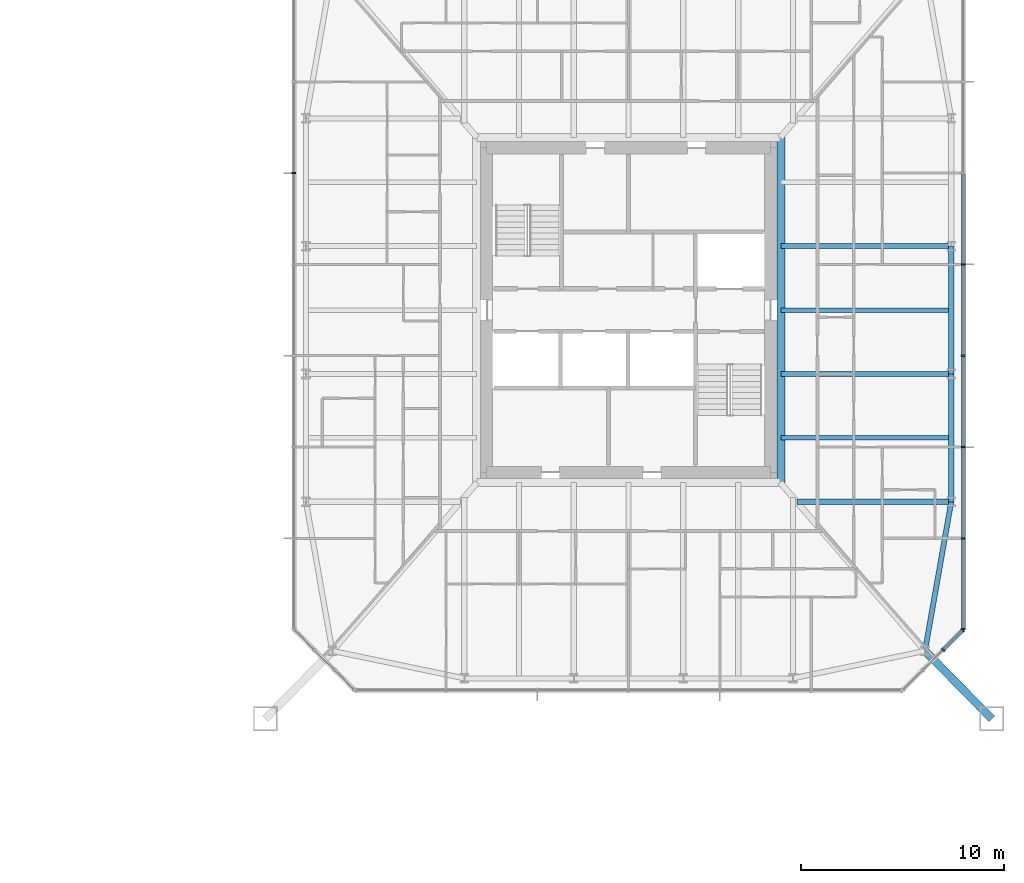
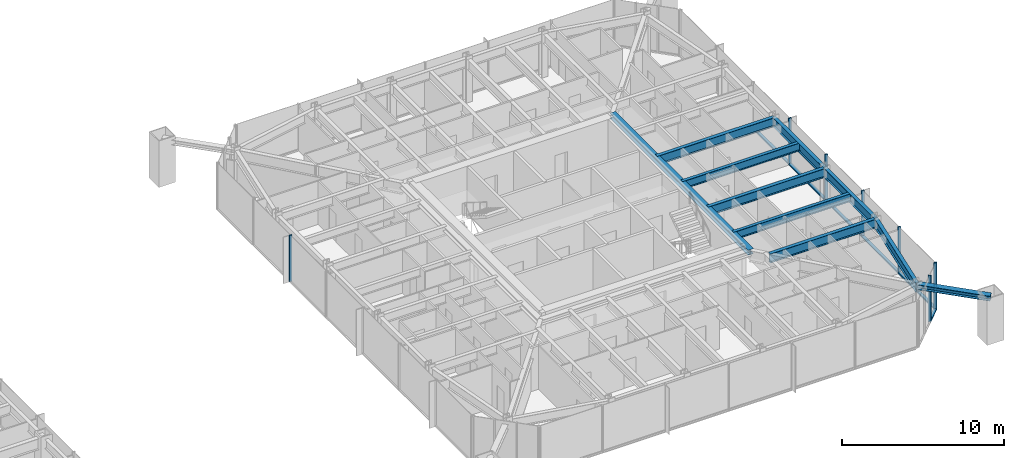
# One storey, part 9 of 26: 15 members, 9 beams, 3 elements without a shape of their own.
"""IFC4 building model written with IfcOpenShell, lengths in metres."""

from ifc_helpers import new_model, si_unit, direction, frame, origin, origin_2d, place, context, subcontext, project, spatial, rectangle, i_section, extrude, material, material_profile, profile_set, type_object, element, aggregate, save


model = new_model("IFC4")

# Units and contexts
model_context = context("Model", 3, precision=1e-05, world=origin(), true_north=direction((0.0, 1.0)))
body_context = subcontext(model_context, "Body", "Model", "MODEL_VIEW")
ifc_project = project(units=[si_unit("LENGTHUNIT", "METRE"), si_unit("AREAUNIT", "SQUARE_METRE"), si_unit("VOLUMEUNIT", "CUBIC_METRE"), si_unit("PLANEANGLEUNIT", "RADIAN"), si_unit("MASSUNIT", "GRAM", prefix="KILO")], contexts=[model_context])

# Site, building, storey
site_placement = place(None, origin())
site = spatial("IfcSite", under=ifc_project, at=site_placement, CompositionType="ELEMENT")
building_placement = place(site_placement, origin())
building = spatial("IfcBuilding", under=site, at=building_placement, Name="Iwan Alto Co-Living Towers", CompositionType="ELEMENT")
storey_placement = place(building_placement, frame((0.0, 0.0, 60.5)))
storey = spatial("IfcBuildingStorey", under=building, at=storey_placement, Name="L16", CompositionType="ELEMENT", Elevation=60.5)

# Curtain wall, members
ifc_material_1 = material(Name="Bronze aluminium unitised frame", Category="aluminium")
curtain_wall_type_1 = type_object("IfcCurtainWallType", Name="CURTAIN WALL CW-C", PredefinedType="NOTDEFINED", material=ifc_material_1)
curtain_wall_1_placement = place(storey_placement, origin())
curtain_wall_1 = element("IfcCurtainWall", 1, at=curtain_wall_1_placement, inside=storey, type_object=curtain_wall_type_1, Name="T2 curtain wall E L16", PredefinedType="NOTDEFINED")
ifc_material_2 = material(Name="Aluminium 6063-T6 bronze anodised", Category="aluminium")
ifc_material_profile_1 = material_profile(ifc_material_2, rectangle(XDim=0.199951171875, YDim=0.080078125, at=origin_2d()), Name="AL 80X200")
ifc_profile_set_1 = profile_set([ifc_material_profile_1], Name="Aluminium 6063-T6 bronze anodised")
member_type_1 = type_object("IfcMemberType", Name="CW-C MULLION 80X200", PredefinedType="MULLION", material=ifc_profile_set_1)
member_1_placement = place(storey_placement, frame((79.5, -15.7099609375, 0.0), z_axis=(0.0, 0.0, 1.0), x_axis=(-1.0, 0.0, 0.0)))
member_1 = element("IfcMember", 2, at=member_1_placement, type_object=member_type_1, Name="CW-C mullion 1", PredefinedType="MULLION", context=body_context, shape_type="SweptSolid", body=[
    extrude(rectangle(XDim=0.199951171875, YDim=0.080078125, at=origin_2d()), origin(), (0.0, 0.0, 1.0), 3.5),
])
member_2_placement = place(storey_placement, frame((79.5, -11.25, 0.0), z_axis=(0.0, 0.0, 1.0), x_axis=(-1.0, 0.0, 0.0)))
member_2 = element("IfcMember", 3, at=member_2_placement, type_object=member_type_1, Name="CW-C mullion 2", PredefinedType="MULLION", context=body_context, shape_type="SweptSolid", body=[
    extrude(rectangle(XDim=0.199951171875, YDim=0.080078125, at=origin_2d()), origin(), (0.0, 0.0, 1.0), 3.5),
])
member_3_placement = place(storey_placement, frame((79.5, -6.75, 0.0), z_axis=(0.0, 0.0, 1.0), x_axis=(-1.0, 0.0, 0.0)))
member_3 = element("IfcMember", 4, at=member_3_placement, type_object=member_type_1, Name="CW-C mullion 3", PredefinedType="MULLION", context=body_context, shape_type="SweptSolid", body=[
    extrude(rectangle(XDim=0.199951171875, YDim=0.080078125, at=origin_2d()), origin(), (0.0, 0.0, 1.0), 3.5),
])
member_4_placement = place(storey_placement, frame((79.5, -2.25, 0.0), z_axis=(0.0, 0.0, 1.0), x_axis=(-1.0, 0.0, 0.0)))
member_4 = element("IfcMember", 5, at=member_4_placement, type_object=member_type_1, Name="CW-C mullion 4", PredefinedType="MULLION", context=body_context, shape_type="SweptSolid", body=[
    extrude(rectangle(XDim=0.199951171875, YDim=0.080078125, at=origin_2d()), origin(), (0.0, 0.0, 1.0), 3.5),
])
member_5_placement = place(storey_placement, frame((79.5, 2.25, 0.0), z_axis=(0.0, 0.0, 1.0), x_axis=(-1.0, 0.0, 0.0)))
member_5 = element("IfcMember", 6, at=member_5_placement, type_object=member_type_1, Name="CW-C mullion 5", PredefinedType="MULLION", context=body_context, shape_type="SweptSolid", body=[
    extrude(rectangle(XDim=0.199951171875, YDim=0.080078125, at=origin_2d()), origin(), (0.0, 0.0, 1.0), 3.5),
])

# Curtain wall, member
curtain_wall_2_placement = place(storey_placement, origin())
curtain_wall_2 = element("IfcCurtainWall", 7, at=curtain_wall_2_placement, inside=storey, type_object=curtain_wall_type_1, Name="T2 curtain wall W L16", PredefinedType="NOTDEFINED")
member_6_placement = place(storey_placement, frame((46.5, 6.75, 0.0), z_axis=(0.0, 0.0, 1.0), x_axis=(1.0, 0.0, 0.0)))
member_6 = element("IfcMember", 8, at=member_6_placement, type_object=member_type_1, Name="CW-C mullion 3", PredefinedType="MULLION", context=body_context, shape_type="SweptSolid", body=[
    extrude(rectangle(XDim=0.199951171875, YDim=0.080078125, at=origin_2d()), origin(), (0.0, 0.0, 1.0), 3.5),
])
aggregate(curtain_wall_2, [member_6])

# Member
ifc_material_3 = material(Name="Aluminium 6063-T6 bronze anodised", Category="aluminium")
ifc_material_profile_2 = material_profile(ifc_material_3, rectangle(XDim=0.199951171875, YDim=0.10009765625, at=origin_2d()), Name="AL 200X100")
ifc_profile_set_2 = profile_set([ifc_material_profile_2], Name="Aluminium 6063-T6 bronze anodised")
member_type_2 = type_object("IfcMemberType", Name="CW-C TRANSOM 200X100", PredefinedType="USERDEFINED", material=ifc_profile_set_2)
member_7_placement = place(storey_placement, frame((79.5, -15.669921875, 0.050048828125), z_axis=(0.0, 1.0, 0.0), x_axis=(-1.0, 0.0, 0.0)))
member_7 = element("IfcMember", 9, at=member_7_placement, type_object=member_type_2, Name="CW-C transom 1.1", ObjectType="TRANSOM", PredefinedType="USERDEFINED", context=body_context, shape_type="SweptSolid", body=[
    extrude(rectangle(XDim=0.199951171875, YDim=0.10009765625, at=origin_2d()), origin(), (0.0, 0.0, 1.0), 4.3798828125),
])

member_8_placement = place(storey_placement, frame((79.5, -11.2099609375, 0.050048828125), z_axis=(0.0, 1.0, 0.0), x_axis=(-1.0, 0.0, 0.0)))
member_8 = element("IfcMember", 10, at=member_8_placement, type_object=member_type_2, Name="CW-C transom 2.1", ObjectType="TRANSOM", PredefinedType="USERDEFINED", context=body_context, shape_type="SweptSolid", body=[
    extrude(rectangle(XDim=0.199951171875, YDim=0.10009765625, at=origin_2d()), origin(), (0.0, 0.0, 1.0), 4.419921875),
])

member_9_placement = place(storey_placement, frame((79.5, -6.7099609375, 0.050048828125), z_axis=(0.0, 1.0, 0.0), x_axis=(-1.0, 0.0, 0.0)))
member_9 = element("IfcMember", 11, at=member_9_placement, type_object=member_type_2, Name="CW-C transom 3.1", ObjectType="TRANSOM", PredefinedType="USERDEFINED", context=body_context, shape_type="SweptSolid", body=[
    extrude(rectangle(XDim=0.199951171875, YDim=0.10009765625, at=origin_2d()), origin(), (0.0, 0.0, 1.0), 4.419921875),
])

member_10_placement = place(storey_placement, frame((79.5, -2.2099609375, 0.050048828125), z_axis=(0.0, 1.0, 0.0), x_axis=(-1.0, 0.0, 0.0)))
member_10 = element("IfcMember", 12, at=member_10_placement, type_object=member_type_2, Name="CW-C transom 4.1", ObjectType="TRANSOM", PredefinedType="USERDEFINED", context=body_context, shape_type="SweptSolid", body=[
    extrude(rectangle(XDim=0.199951171875, YDim=0.10009765625, at=origin_2d()), origin(), (0.0, 0.0, 1.0), 4.419921875),
])

member_11_placement = place(storey_placement, frame((79.5, 2.2900390625, 0.050048828125), z_axis=(0.0, 1.0, 0.0), x_axis=(-1.0, 0.0, 0.0)))
member_11 = element("IfcMember", 13, at=member_11_placement, type_object=member_type_2, Name="CW-C transom 5.1", ObjectType="TRANSOM", PredefinedType="USERDEFINED", context=body_context, shape_type="SweptSolid", body=[
    extrude(rectangle(XDim=0.199951171875, YDim=0.10009765625, at=origin_2d()), origin(), (0.0, 0.0, 1.0), 4.419921875),
])

aggregate(curtain_wall_1, [member_1, member_2, member_3, member_4, member_5, member_7, member_8, member_9, member_10, member_11])

# Curtain wall, members
ifc_material_4 = material(Name="Bronze aluminium unitised frame", Category="aluminium")
curtain_wall_type_2 = type_object("IfcCurtainWallType", Name="CURTAIN WALL CW-D", PredefinedType="NOTDEFINED", material=ifc_material_4)
curtain_wall_3_placement = place(storey_placement, origin())
curtain_wall_3 = element("IfcCurtainWall", 14, at=curtain_wall_3_placement, inside=storey, type_object=curtain_wall_type_2, Name="T2 chamfer curtain wall SE L16", PredefinedType="NOTDEFINED")
ifc_material_5 = material(Name="Aluminium 6063-T6 bronze anodised", Category="aluminium")
ifc_material_profile_3 = material_profile(ifc_material_5, rectangle(XDim=0.199951171875, YDim=0.080078125, at=origin_2d()), Name="AL 80X200")
ifc_profile_set_3 = profile_set([ifc_material_profile_3], Name="Aluminium 6063-T6 bronze anodised")
member_type_3 = type_object("IfcMemberType", Name="CW-D MULLION 80X200", PredefinedType="MULLION", material=ifc_profile_set_3)
member_12_placement = place(storey_placement, frame((78.5, -16.75, 0.0), z_axis=(0.0, 0.0, 1.0), x_axis=(-0.707106781187, 0.707106781187, 0.0)))
member_12 = element("IfcMember", 15, at=member_12_placement, type_object=member_type_3, Name="CW-D mullion 3", PredefinedType="MULLION", context=body_context, shape_type="SweptSolid", body=[
    extrude(rectangle(XDim=0.199951171875, YDim=0.080078125, at=origin_2d()), origin(), (0.0, 0.0, 1.0), 3.5),
])
member_13_placement = place(storey_placement, frame((79.4716796875, -15.7783203125, 0.0), z_axis=(0.0, 0.0, 1.0), x_axis=(-0.707106781187, 0.707106781187, 0.0)))
member_13 = element("IfcMember", 16, at=member_13_placement, type_object=member_type_3, Name="CW-D mullion 4", PredefinedType="MULLION", context=body_context, shape_type="SweptSolid", body=[
    extrude(rectangle(XDim=0.199951171875, YDim=0.080078125, at=origin_2d()), origin(), (0.0, 0.0, 1.0), 3.5),
])
ifc_material_6 = material(Name="Aluminium 6063-T6 bronze anodised", Category="aluminium")
ifc_material_profile_4 = material_profile(ifc_material_6, rectangle(XDim=0.199951171875, YDim=0.10009765625, at=origin_2d()), Name="AL 200X100")
ifc_profile_set_4 = profile_set([ifc_material_profile_4], Name="Aluminium 6063-T6 bronze anodised")
member_type_4 = type_object("IfcMemberType", Name="CW-D TRANSOM 200X100", PredefinedType="USERDEFINED", material=ifc_profile_set_4)
member_14_placement = place(storey_placement, frame((78.5283203125, -16.7216796875, 0.050048828125), z_axis=(0.707106781187, 0.707106781187, 0.0), x_axis=(-0.707106781187, 0.707106781187, 0.0)))
member_14 = element("IfcMember", 17, at=member_14_placement, type_object=member_type_4, Name="CW-D transom 3.1", ObjectType="TRANSOM", PredefinedType="USERDEFINED", context=body_context, shape_type="SweptSolid", body=[
    extrude(rectangle(XDim=0.199951171875, YDim=0.10009765625, at=origin_2d()), origin(), (0.0, 0.0, 1.0), 1.2939453125),
])
aggregate(curtain_wall_3, [member_12, member_13, member_14])

# Beams
ifc_material_7 = material(Name="Steel ASTM A992 Gr 50", Category="steel")
ifc_material_profile_5 = material_profile(ifc_material_7, i_section(OverallWidth=0.398681640625, OverallDepth=0.385986328125, WebThickness=0.02099609375, FlangeThickness=0.033203125, at=origin_2d()), Name="W14X176")
ifc_profile_set_5 = profile_set([ifc_material_profile_5], Name="Steel ASTM A992 Gr 50")
beam_type_1 = type_object("IfcBeamType", Name="T2 CORE LEDGER BEAM W14X176", PredefinedType="BEAM", material=ifc_profile_set_5)
beam_1_placement = place(storey_placement, frame((70.49951171875, -8.531982421875, 3.076904296875), z_axis=(0.0, 1.0, 0.0), x_axis=(-1.0, 0.0, 0.0)))
element("IfcBeam", 18, at=beam_1_placement, inside=storey, type_object=beam_type_1, Name="T2 core ledger beam E L17", PredefinedType="BEAM", context=body_context, shape_type="SweptSolid", body=[
    extrude(i_section(OverallWidth=0.398681640625, OverallDepth=0.385986328125, WebThickness=0.02099609375, FlangeThickness=0.033203125, at=origin_2d()), origin(), (0.0, 0.0, 1.0), 17.06396484375),
])
ifc_material_8 = material(Name="Steel ASTM A992 Gr 50", Category="steel")
ifc_material_profile_6 = material_profile(ifc_material_8, i_section(OverallWidth=0.25390625, OverallDepth=0.683349609375, WebThickness=0.012451171875, FlangeThickness=0.018798828125, at=origin_2d()), Name="W27X94")
ifc_profile_set_6 = profile_set([ifc_material_profile_6], Name="Steel ASTM A992 Gr 50")
beam_type_2 = type_object("IfcBeamType", Name="T2 EDGE BEAM W27X94", PredefinedType="BEAM", material=ifc_profile_set_6)
beam_2_placement = place(storey_placement, frame((77.606201171875, -16.797119140625, 2.928466796875), z_axis=(0.173413807283, 0.98484905008, 0.0), x_axis=(-0.98484905008, 0.173413807283, 0.0)))
element("IfcBeam", 19, at=beam_2_placement, inside=storey, type_object=beam_type_2, Name="T2 edge beam CSE L17", PredefinedType="BEAM", context=body_context, shape_type="SweptSolid", body=[
    extrude(i_section(OverallWidth=0.25390625, OverallDepth=0.683349609375, WebThickness=0.012451171875, FlangeThickness=0.018798828125, at=origin_2d()), origin(), (0.0, 0.0, 1.0), 7.460205078125),
])
beam_3_placement = place(storey_placement, frame((78.89990234375, -9.449951171875, 2.928466796875), z_axis=(0.0, 1.0, 0.0), x_axis=(-1.0, 0.0, 0.0)))
element("IfcBeam", 20, at=beam_3_placement, inside=storey, type_object=beam_type_2, Name="T2 edge beam E1 L17", PredefinedType="BEAM", context=body_context, shape_type="SweptSolid", body=[
    extrude(i_section(OverallWidth=0.25390625, OverallDepth=0.683349609375, WebThickness=0.012451171875, FlangeThickness=0.018798828125, at=origin_2d()), origin(), (0.0, 0.0, 1.0), 6.300048828125),
])
beam_4_placement = place(storey_placement, frame((78.89990234375, -3.14990234375, 2.928466796875), z_axis=(0.0, 1.0, 0.0), x_axis=(-1.0, 0.0, 0.0)))
element("IfcBeam", 21, at=beam_4_placement, inside=storey, type_object=beam_type_2, Name="T2 edge beam E2 L17", PredefinedType="BEAM", context=body_context, shape_type="SweptSolid", body=[
    extrude(i_section(OverallWidth=0.25390625, OverallDepth=0.683349609375, WebThickness=0.012451171875, FlangeThickness=0.018798828125, at=origin_2d()), origin(), (0.0, 0.0, 1.0), 6.2998046875),
])

# Member
ifc_material_9 = material(Name="Steel ASTM A992 Gr 50", Category="steel")
ifc_material_profile_7 = material_profile(ifc_material_9, i_section(OverallWidth=0.393798828125, OverallDepth=0.3759765625, WebThickness=0.017333984375, FlangeThickness=0.027587890625, at=origin_2d()), Name="W14X145")
ifc_profile_set_7 = profile_set([ifc_material_profile_7], Name="Steel ASTM A992 Gr 50")
member_type_5 = type_object("IfcMemberType", Name="T2 MEGA COLUMN FLOOR TIE W14X145", PredefinedType="STRUT", material=ifc_profile_set_7)
member_15_placement = place(storey_placement, frame((80.89990234375, -20.14990234375, 3.08203125), z_axis=(-0.700793469544, 0.71336422187, 0.0), x_axis=(-0.71336422187, -0.700793469544, 0.0)))
element("IfcMember", 22, at=member_15_placement, inside=storey, type_object=member_type_5, Name="T2 mega column floor tie SE L17", PredefinedType="STRUT", context=body_context, shape_type="SweptSolid", body=[
    extrude(i_section(OverallWidth=0.393798828125, OverallDepth=0.3759765625, WebThickness=0.017333984375, FlangeThickness=0.027587890625, at=origin_2d()), origin(), (0.0, 0.0, 1.0), 4.699951171875),
])

# Beams
ifc_material_10 = material(Name="Steel ASTM A992 Gr 50", Category="steel")
ifc_material_profile_8 = material_profile(ifc_material_10, i_section(OverallWidth=0.25390625, OverallDepth=0.683349609375, WebThickness=0.012451171875, FlangeThickness=0.018798828125, at=origin_2d()), Name="W27X94")
ifc_profile_set_8 = profile_set([ifc_material_profile_8], Name="Steel ASTM A992 Gr 50")
beam_type_3 = type_object("IfcBeamType", Name="T2 RADIAL BEAM W27X94", PredefinedType="BEAM", material=ifc_profile_set_8)
beam_5_placement = place(storey_placement, frame((78.89990234375, -9.449951171875, 2.928466796875), z_axis=(-1.0, 0.0, 0.0), x_axis=(0.0, -1.0, 0.0)))
element("IfcBeam", 23, at=beam_5_placement, inside=storey, type_object=beam_type_3, Name="T2 radial beam E1 L17", PredefinedType="BEAM", context=body_context, shape_type="SweptSolid", body=[
    extrude(i_section(OverallWidth=0.25390625, OverallDepth=0.683349609375, WebThickness=0.012451171875, FlangeThickness=0.018798828125, at=origin_2d()), origin(), (0.0, 0.0, 1.0), 7.611083984375),
])
for number, where, z_axis, x_axis, name in (
    (24, (78.89990234375, -3.14990234375, 2.928466796875), (-1.0, 0.0, 0.0), (0.0, -1.0, 0.0), "T2 radial beam E2 L17"),
    (25, (78.89990234375, 3.14990234375, 2.928466796875), (-1.0, 0.0, 0.0), (0.0, -1.0, 0.0), "T2 radial beam E3 L17"),
):
    element("IfcBeam", number, at=place(storey_placement, frame(where, z_axis=z_axis, x_axis=x_axis)), inside=storey, type_object=beam_type_3, Name=name, PredefinedType="BEAM", context=body_context, shape_type="SweptSolid", body=[
        extrude(i_section(OverallWidth=0.25390625, OverallDepth=0.683349609375, WebThickness=0.012451171875, FlangeThickness=0.018798828125, at=origin_2d()), origin(), (0.0, 0.0, 1.0), 8.400390625),
    ])
ifc_material_11 = material(Name="Steel ASTM A992 Gr 50", Category="steel")
ifc_material_profile_9 = material_profile(ifc_material_11, i_section(OverallWidth=0.228271484375, OverallDepth=0.607177734375, WebThickness=0.01123046875, FlangeThickness=0.017333984375, at=origin_2d()), Name="W24X76")
ifc_profile_set_9 = profile_set([ifc_material_profile_9], Name="Steel ASTM A992 Gr 50")
beam_type_4 = type_object("IfcBeamType", Name="T2 SECONDARY BEAM W24X76", PredefinedType="JOIST", material=ifc_profile_set_9)
for number, where, z_axis, x_axis, name in (
    (26, (78.89990234375, -6.300048828125, 2.966552734375), (-1.0, 0.0, 0.0), (0.0, -1.0, 0.0), "T2 secondary beam E1 L17"),
    (27, (78.89990234375, 0.0, 2.966552734375), (-1.0, 0.0, 0.0), (0.0, -1.0, 0.0), "T2 secondary beam E2 L17"),
):
    element("IfcBeam", number, at=place(storey_placement, frame(where, z_axis=z_axis, x_axis=x_axis)), inside=storey, type_object=beam_type_4, Name=name, PredefinedType="JOIST", context=body_context, shape_type="SweptSolid", body=[
        extrude(i_section(OverallWidth=0.228271484375, OverallDepth=0.607177734375, WebThickness=0.01123046875, FlangeThickness=0.017333984375, at=origin_2d()), origin(), (0.0, 0.0, 1.0), 8.400390625),
    ])

save(model, "model.ifc")
